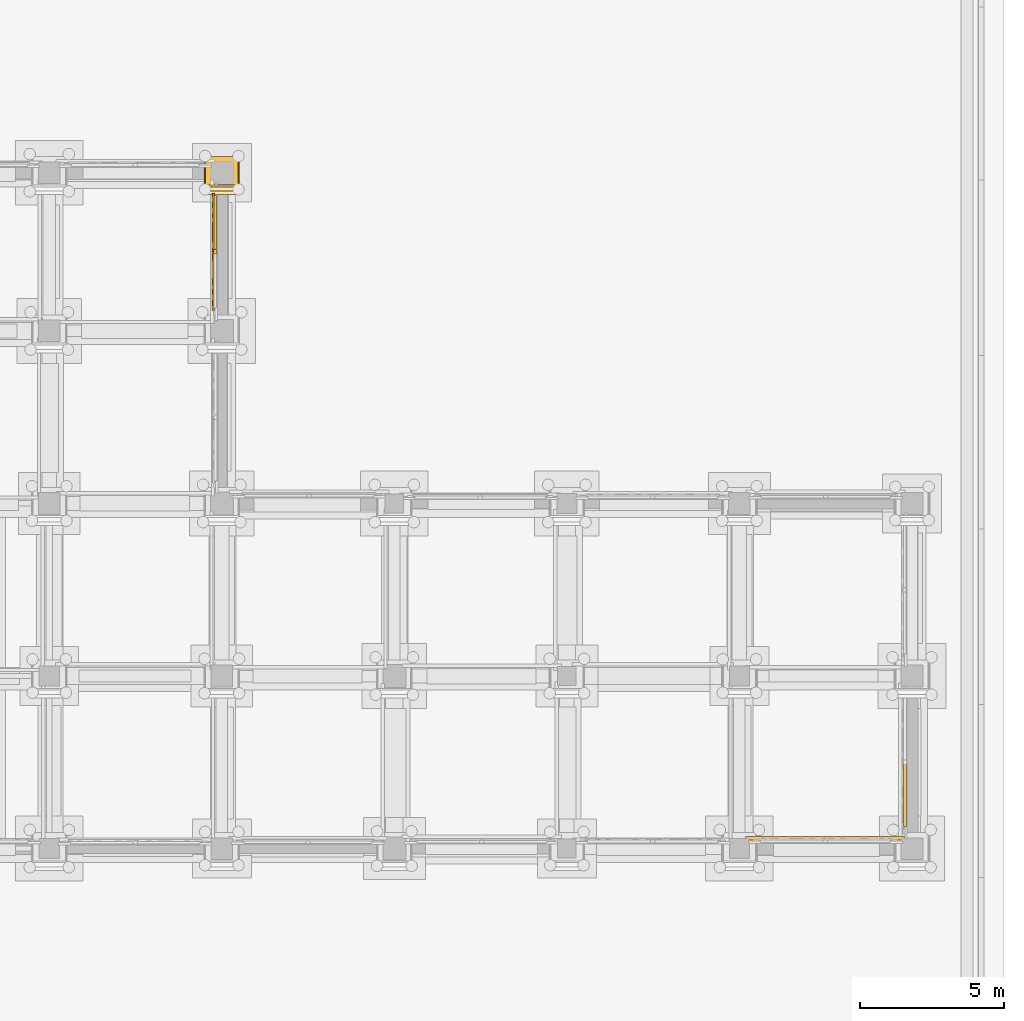
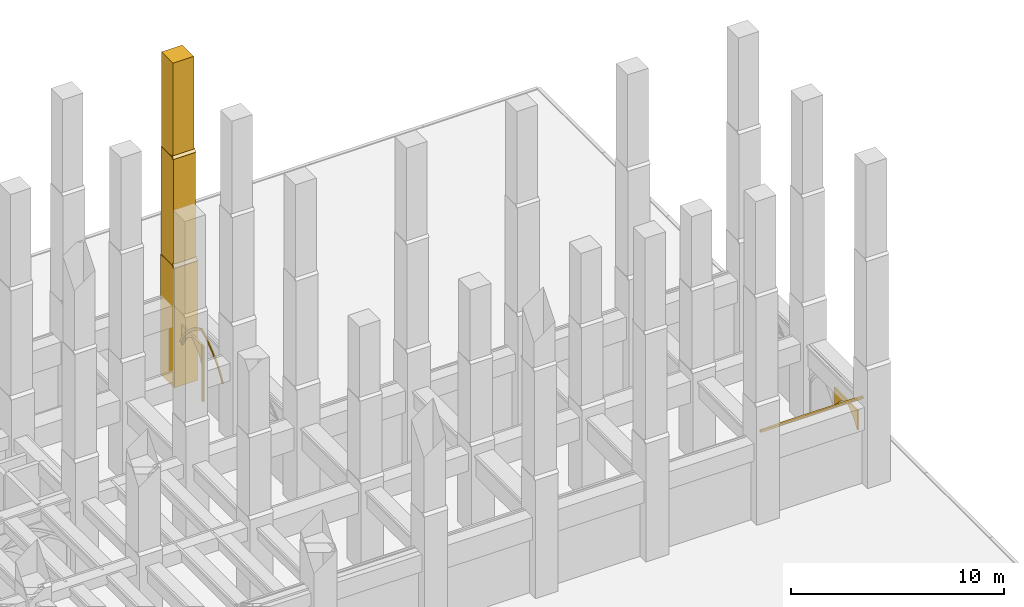
# One storey, part 131 of 135: 10 coverings.
"""IFC4 building model written with IfcOpenShell, lengths in metres."""

from ifc_helpers import new_model, si_unit, direction, frame, origin, origin_2d, place, context, subcontext, project, spatial, polyline, rectangle, outline, extrude, material, type_object, element, save


model = new_model("IFC4")

# Units and contexts
model_context = context("Model", 3, precision=1e-05, world=origin(), true_north=direction((0.0, 1.0)))
body_context = subcontext(model_context, "Body", "Model", "MODEL_VIEW")
ifc_project = project(units=[si_unit("LENGTHUNIT", "METRE"), si_unit("AREAUNIT", "SQUARE_METRE"), si_unit("VOLUMEUNIT", "CUBIC_METRE"), si_unit("PLANEANGLEUNIT", "RADIAN"), si_unit("MASSUNIT", "GRAM", prefix="KILO")], contexts=[model_context])

# Site, building, storey
site_placement = place(None, origin())
site = spatial("IfcSite", under=ifc_project, at=site_placement, CompositionType="ELEMENT")
building_placement = place(site_placement, origin())
building = spatial("IfcBuilding", under=site, at=building_placement, Name="Cumevento Cable Car Station", CompositionType="ELEMENT")
storey_placement = place(building_placement, origin())
storey = spatial("IfcBuildingStorey", under=building, at=storey_placement, Name="L01", CompositionType="ELEMENT", Elevation=0.0)

# Coverings
ifc_material = material(Name="Gnaisse Facoidal Stone Ashlar 85 MPa", Category="masonry")
covering_type = type_object("IfcCoveringType", Name="Gnaisse Ashlar Cladding CV-CL01", PredefinedType="CLADDING", material=ifc_material)
covering_1_placement = place(storey_placement, frame((142.0, 56.409912109375, -0.06005859375), z_axis=(0.0, 0.0, 1.0), x_axis=(1.0, 0.0, 0.0)))
element("IfcCovering", 1, at=covering_1_placement, inside=storey, type_object=covering_type, Name="Stepped Gothic Stone Buttress Tier 1 bt:142.0:56.5", PredefinedType="CLADDING", context=body_context, shape_type="SweptSolid", body=[
    extrude(rectangle(XDim=1.239990234375, YDim=1.300048828125, at=origin_2d()), origin(), (0.0, 0.0, 1.0), 6.885498046875),
])
covering_2_placement = place(storey_placement, frame((141.360107421875, 55.739990234375, 6.8056640625), z_axis=(0.0, -0.711135781079, 0.703054692658), x_axis=(1.0, 0.0, 0.0)))
element("IfcCovering", 2, at=covering_2_placement, inside=storey, type_object=covering_type, Name="Gothic Buttress Sloped Stone Weathering 1 bt:142.0:56.5", PredefinedType="CLADDING", context=body_context, shape_type="SweptSolid", body=[
    extrude(outline(polyline([(0.0, 0.0), (1.27978515625, 0.0), (1.27978515625, 0.24169083397703695), (0.0, 0.24169083397703695), (0.0, 0.0)])), origin(), (0.0, 0.0, -1.0), 0.090087890625),
])
covering_3_placement = place(storey_placement, frame((142.0, 56.469970703125, 6.46337890625), z_axis=(0.0, 0.0, 1.0), x_axis=(1.0, 0.0, 0.0)))
element("IfcCovering", 3, at=covering_3_placement, inside=storey, type_object=covering_type, Name="Stepped Gothic Stone Buttress Tier 2 bt:142.0:56.5", PredefinedType="CLADDING", context=body_context, shape_type="SweptSolid", body=[
    extrude(rectangle(XDim=1.179931640625, YDim=1.179931640625, at=origin_2d()), origin(), (0.0, 0.0, 1.0), 6.523193359375),
])
covering_4_placement = place(storey_placement, frame((141.389892578125, 55.860107421875, 12.96630859375), z_axis=(0.0, -0.714474823669, 0.699661151089), x_axis=(1.0, 0.0, 0.0)))
element("IfcCovering", 4, at=covering_4_placement, inside=storey, type_object=covering_type, Name="Gothic Buttress Sloped Stone Weathering 2 bt:142.0:56.5", PredefinedType="CLADDING", context=body_context, shape_type="SweptSolid", body=[
    extrude(outline(polyline([(0.0, 0.0), (1.22021484375, 0.0), (1.22021484375, 0.21424991728737655), (0.0, 0.21424991728737655), (0.0, 0.0)])), origin(), (0.0, 0.0, -1.0), 0.090087890625),
])
covering_5_placement = place(storey_placement, frame((142.0, 56.52001953125, 12.6240234375), z_axis=(0.0, 0.0, 1.0), x_axis=(1.0, 0.0, 0.0)))
element("IfcCovering", 5, at=covering_5_placement, inside=storey, type_object=covering_type, Name="Stepped Gothic Stone Buttress Tier 3 bt:142.0:56.5", PredefinedType="CLADDING", context=body_context, shape_type="SweptSolid", body=[
    extrude(rectangle(XDim=1.1201171875, YDim=1.080078125, at=origin_2d()), origin(), (0.0, 0.0, 1.0), 5.77587890625),
])
covering_6_placement = place(storey_placement, frame((162.987548828125, 33.357421875, 4.400146484375), z_axis=(0.0, 0.0, 1.0), x_axis=(1.0, 0.0, 0.0)))
element("IfcCovering", 6, at=covering_6_placement, inside=storey, type_object=covering_type, Name="Gothic Cornice Dripstone Lip sc:0209", PredefinedType="CLADDING", context=body_context, shape_type="SweptSolid", body=[
    extrude(rectangle(XDim=5.554931640625, YDim=0.114990234375, at=origin_2d()), origin(), (0.0, 0.0, 1.0), 0.1298828125),
])
covering_7_placement = place(storey_placement, frame((166.0, 33.784912109375, 2.340087890625), z_axis=(0.0, 0.0, 1.0), x_axis=(0.0, 1.0, 0.0)))
element("IfcCovering", 7, at=covering_7_placement, inside=storey, type_object=covering_type, Name="Gothic Ogival Pointed-Arch Stone Spandrel blind_ogival:0087:sub:0", PredefinedType="CLADDING", context=body_context, shape_type="SweptSolid", body=[
    extrude(outline(polyline([(-0.02001953125, 0.0), (-0.02001953125, 1.115966796875), (2.18994140625, 1.115966796875), (2.18994140625, 0.0), (2.1298828125, 0.0), (2.008544921875, 0.21337890625), (1.863037109375, 0.4111328125), (1.695556640625, 0.59033203125), (1.50830078125, 0.7490234375), (1.3037109375, 0.885009765625), (1.0849609375, 0.99609375), (0.8662109375, 0.885009765625), (0.66162109375, 0.7490234375), (0.474365234375, 0.59033203125), (0.306884765625, 0.4111328125), (0.161376953125, 0.21337890625), (0.0400390625, 0.0), (-0.02001953125, 0.0)])), frame((0.0, 0.2890625, 0.0), z_axis=(0.0, -1.0, 0.0), x_axis=(1.0, 0.0, 0.0)), (0.0, 0.0, 1.0), 0.090087890625),
])
covering_8_placement = place(storey_placement, frame((142.0, 51.580078125, 2.52001953125), z_axis=(0.0, 0.0, 1.0), x_axis=(0.0, 1.0, 0.0)))
element("IfcCovering", 8, at=covering_8_placement, inside=storey, type_object=covering_type, Name="Gothic Pointed Archivolt Hood Moulding blind_ogival:0104", PredefinedType="CLADDING", context=body_context, shape_type="SweptSolid", body=[
    extrude(outline(polyline([(0.260009765625, 0.0), (0.448974609375, 0.33251953125), (0.670166015625, 0.64453125), (0.921142578125, 0.93310546875), (1.199462890625, 1.1953125), (1.50244140625, 1.4287109375), (1.826904296875, 1.631103515625), (2.169921875, 1.800048828125), (2.51318359375, 1.631103515625), (2.837646484375, 1.4287109375), (3.140625, 1.1953125), (3.4189453125, 0.93310546875), (3.669921875, 0.64453125), (3.89111328125, 0.33251953125), (4.080078125, 0.0), (4.200927734375, 0.0), (4.0029296875, 0.359619140625), (3.76953125, 0.697509765625), (3.503662109375, 1.01025390625), (3.20751953125, 1.294677734375), (2.88427734375, 1.548095703125), (2.537353515625, 1.767578125), (2.169921875, 1.951171875), (1.802734375, 1.767578125), (1.455810546875, 1.548095703125), (1.132568359375, 1.294677734375), (0.83642578125, 1.01025390625), (0.570556640625, 0.697509765625), (0.337158203125, 0.359619140625), (0.138916015625, 0.0), (0.260009765625, 0.0)])), frame((0.0, 0.33447265625, 0.0), z_axis=(0.0, -1.0, 0.0), x_axis=(1.0, 0.0, 0.0)), (0.0, 0.0, 1.0), 0.06689453125),
])
covering_9_placement = place(storey_placement, frame((142.0, 51.580078125, 0.300048828125), z_axis=(0.0, 0.0, 1.0), x_axis=(0.0, 1.0, 0.0)))
element("IfcCovering", 9, at=covering_9_placement, inside=storey, type_object=covering_type, Name="Gothic Bifora Stone Colonnette blind_ogival:0104 #1", PredefinedType="CLADDING", context=body_context, shape_type="SweptSolid", body=[
    extrude(outline(polyline([(2.094970703125, -0.02001953125), (2.2451171875, -0.02001953125), (2.2451171875, 3.156005859375), (2.094970703125, 3.156005859375), (2.094970703125, -0.02001953125)])), frame((0.0, 0.280517578125, 0.0), z_axis=(0.0, -1.0, 0.0), x_axis=(1.0, 0.0, 0.0)), (0.0, 0.0, 1.0), 0.094970703125),
])
covering_10_placement = place(storey_placement, frame((142.0, 53.794921875, 2.340087890625), z_axis=(0.0, 0.0, 1.0), x_axis=(0.0, 1.0, 0.0)))
element("IfcCovering", 10, at=covering_10_placement, inside=storey, type_object=covering_type, Name="Gothic Ogival Pointed-Arch Stone Spandrel blind_ogival:0104:sub:1", PredefinedType="CLADDING", context=body_context, shape_type="SweptSolid", body=[
    extrude(outline(polyline([(-0.02001953125, 0.0), (-0.02001953125, 1.115966796875), (1.9150390625, 1.115966796875), (1.9150390625, 0.0), (1.85498046875, 0.0), (1.76123046875, 0.2099609375), (1.6416015625, 0.40625), (1.497802734375, 0.5859375), (1.332275390625, 0.74560546875), (1.14794921875, 0.883056640625), (0.947509765625, 0.99609375), (0.7470703125, 0.883056640625), (0.562744140625, 0.74560546875), (0.397216796875, 0.5859375), (0.25341796875, 0.40625), (0.1337890625, 0.2099609375), (0.0400390625, 0.0), (-0.02001953125, 0.0)])), frame((0.0, 0.276611328125, 0.0), z_axis=(0.0, -1.0, 0.0), x_axis=(1.0, 0.0, 0.0)), (0.0, 0.0, 1.0), 0.090087890625),
])

save(model, "model.ifc")
